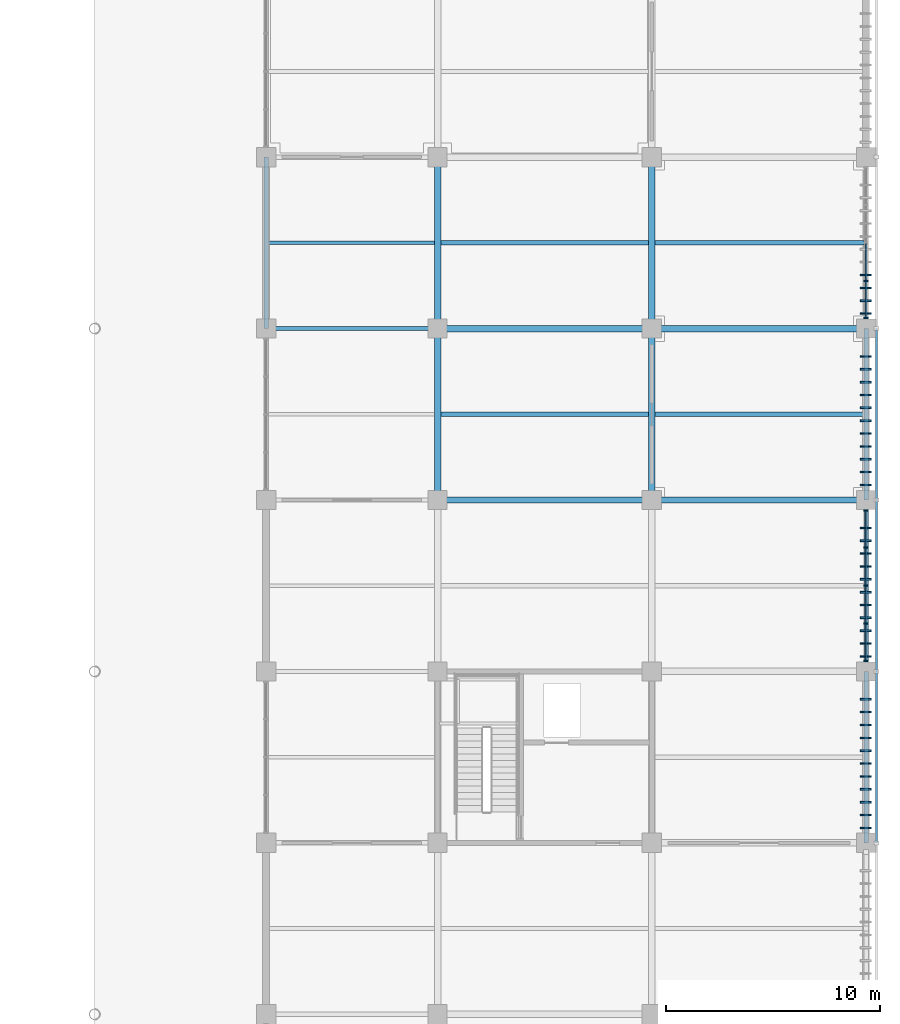
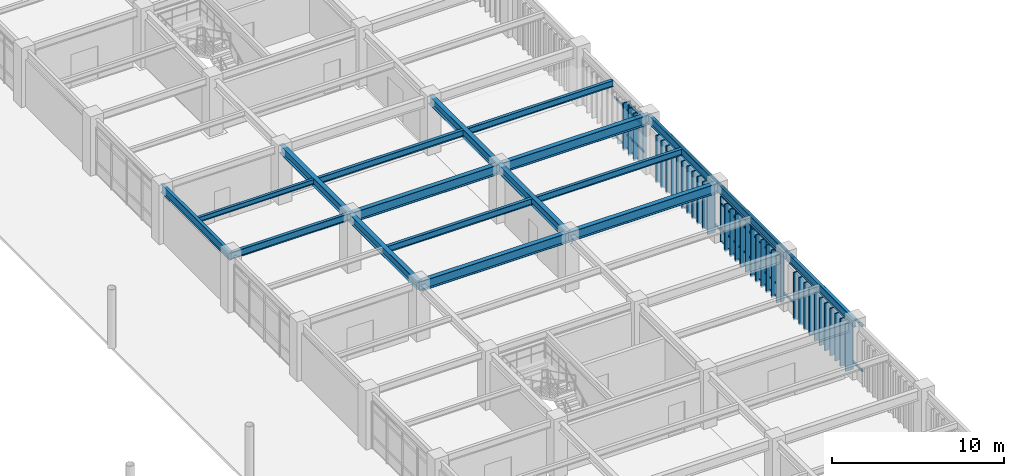
# One storey, part 46 of 118: 73 members, 18 beams, 2 elements without a shape of their own.
"""IFC4 building model written with IfcOpenShell, lengths in metres."""

from ifc_helpers import new_model, si_unit, direction, frame, origin, origin_2d, place, context, subcontext, project, spatial, rectangle, hollow_rectangle, i_section, extrude, material, layer, layer_set, material_profile, profile_set, type_object, element, aggregate, save


model = new_model("IFC4")

# Units and contexts
model_context = context("Model", 3, precision=1e-05, world=origin(), true_north=direction((0.0, 1.0)))
body_context = subcontext(model_context, "Body", "Model", "MODEL_VIEW")
ifc_project = project(units=[si_unit("LENGTHUNIT", "METRE"), si_unit("AREAUNIT", "SQUARE_METRE"), si_unit("VOLUMEUNIT", "CUBIC_METRE"), si_unit("PLANEANGLEUNIT", "RADIAN"), si_unit("MASSUNIT", "GRAM", prefix="KILO")], contexts=[model_context])

# Site, building, storey
site_placement = place(None, origin())
site = spatial("IfcSite", under=ifc_project, at=site_placement, CompositionType="ELEMENT")
building_placement = place(site_placement, origin())
building = spatial("IfcBuilding", under=site, at=building_placement, Name="Haebicheon Civic Stadium", CompositionType="ELEMENT")
storey_placement = place(building_placement, frame((0.0, 0.0, 14.39990234375)))
storey = spatial("IfcBuildingStorey", under=building, at=storey_placement, Name="L04", CompositionType="ELEMENT", Elevation=14.39990234375)

# Beams
ifc_material_1 = material(Name="Steel SM355 (S355)", Category="steel")
ifc_material_profile_1 = material_profile(ifc_material_1, i_section(OverallWidth=0.199951171875, OverallDepth=0.5, WebThickness=0.010009765625, FlangeThickness=0.01611328125, at=origin_2d()), Name="H-500x200x10x16")
ifc_profile_set_1 = profile_set([ifc_material_profile_1], Name="Steel SM355 (S355)")
beam_type_1 = type_object("IfcBeamType", Name="BM-ST-H500", PredefinedType="BEAM", material=ifc_profile_set_1)
beam_1_placement = place(storey_placement, frame((208.0, 88.0, 3.690185546875), z_axis=(1.0, 0.0, 0.0), x_axis=(0.0, 1.0, 0.0)))
element("IfcBeam", 1, at=beam_1_placement, inside=storey, type_object=beam_type_1, material=ifc_profile_set_1, Name="L04 beam M/27-28", PredefinedType="BEAM", context=body_context, shape_type="SweptSolid", body=[
    extrude(i_section(OverallWidth=0.199951171875, OverallDepth=0.5, WebThickness=0.010009765625, FlangeThickness=0.01611328125, at=origin_2d()), origin(), (0.0, 0.0, 1.0), 8.0),
])
ifc_material_2 = material(Name="Steel SM355 (S355)", Category="steel")
ifc_material_profile_2 = material_profile(ifc_material_2, i_section(OverallWidth=0.300048828125, OverallDepth=0.60009765625, WebThickness=0.011962890625, FlangeThickness=0.02001953125, at=origin_2d()), Name="H-600x300x12x20")
ifc_profile_set_2 = profile_set([ifc_material_profile_2], Name="Steel SM355 (S355)")
beam_type_2 = type_object("IfcBeamType", Name="BM-ST-H600A", PredefinedType="BEAM", material=ifc_profile_set_2)
for number, where, z_axis, x_axis, name in (
    (2, (216.0, 80.0, 3.64013671875), (0.0, 1.0, 0.0), (-1.0, 0.0, 0.0), "L04 girder 28/L-M"),
    (3, (216.0, 88.0, 3.64013671875), (0.0, 1.0, 0.0), (-1.0, 0.0, 0.0), "L04 girder 28/M-N"),
    (4, (226.0, 80.0, 3.64013671875), (0.0, 1.0, 0.0), (-1.0, 0.0, 0.0), "L04 girder 29/L-M"),
    (5, (226.0, 88.0, 3.64013671875), (0.0, 1.0, 0.0), (-1.0, 0.0, 0.0), "L04 girder 29/M-N"),
):
    element("IfcBeam", number, at=place(storey_placement, frame(where, z_axis=z_axis, x_axis=x_axis)), inside=storey, type_object=beam_type_2, material=ifc_profile_set_2, Name=name, PredefinedType="BEAM", context=body_context, shape_type="SweptSolid", body=[
        extrude(i_section(OverallWidth=0.300048828125, OverallDepth=0.60009765625, WebThickness=0.011962890625, FlangeThickness=0.02001953125, at=origin_2d()), origin(), (0.0, 0.0, 1.0), 8.0),
    ])
ifc_material_3 = material(Name="Steel SM490", Category="steel")
ifc_material_profile_3 = material_profile(ifc_material_3, i_section(OverallWidth=0.300048828125, OverallDepth=0.699951171875, WebThickness=0.012939453125, FlangeThickness=0.02392578125, at=origin_2d()), Name="H-700x300x13x24")
ifc_profile_set_3 = profile_set([ifc_material_profile_3], Name="Steel SM490")
beam_type_3 = type_object("IfcBeamType", Name="BM-ST-H700", PredefinedType="BEAM", material=ifc_profile_set_3)
for number, where, z_axis, x_axis, name in (
    (6, (216.0, 80.0, 3.590087890625), (1.0, 0.0, 0.0), (0.0, 1.0, 0.0), "L04 beam L/28-29"),
    (7, (216.0, 88.0, 3.590087890625), (1.0, 0.0, 0.0), (0.0, 1.0, 0.0), "L04 beam M/28-29"),
    (8, (226.0, 80.0, 3.590087890625), (1.0, 0.0, 0.0), (0.0, 1.0, 0.0), "L04 beam L/29-30"),
    (9, (226.0, 88.0, 3.590087890625), (1.0, 0.0, 0.0), (0.0, 1.0, 0.0), "L04 beam M/29-30"),
):
    element("IfcBeam", number, at=place(storey_placement, frame(where, z_axis=z_axis, x_axis=x_axis)), inside=storey, type_object=beam_type_3, material=ifc_profile_set_3, Name=name, PredefinedType="BEAM", context=body_context, shape_type="SweptSolid", body=[
        extrude(i_section(OverallWidth=0.300048828125, OverallDepth=0.699951171875, WebThickness=0.012939453125, FlangeThickness=0.02392578125, at=origin_2d()), origin(), (0.0, 0.0, 1.0), 10.0),
    ])

# Curtain wall, members
ifc_material_4 = material(Name="Anodised aluminium and laminated glass", Category="aluminium")
ifc_layer = layer(ifc_material_4, 0.179931640625, Name="Anodised aluminium and laminated glass")
ifc_layer_set = layer_set([ifc_layer], Name="Anodised aluminium and laminated glass")
curtain_wall_type = type_object("IfcCurtainWallType", Name="CW-7100x3230", PredefinedType="NOTDEFINED", material=ifc_layer_set)
curtain_wall_1_placement = place(storey_placement, origin())
curtain_wall_1 = element("IfcCurtainWall", 10, at=curtain_wall_1_placement, inside=storey, type_object=curtain_wall_type, material=ifc_layer_set, Name="L04 unitised curtain wall 178", PredefinedType="NOTDEFINED")
ifc_material_5 = material(Name="Anodised aluminium 6063-T6", Category="aluminium")
ifc_material_profile_4 = material_profile(ifc_material_5, rectangle(XDim=0.070068359375, YDim=0.199951171875, at=origin_2d()), Name="ALU-MULL-70x200")
ifc_profile_set_4 = profile_set([ifc_material_profile_4], Name="Anodised aluminium 6063-T6")
member_type_1 = type_object("IfcMemberType", Name="CWM-200x70", PredefinedType="MULLION", material=ifc_profile_set_4)
member_1_placement = place(storey_placement, frame((236.0, 72.485107421875, 0.0), z_axis=(0.0, 0.0, 1.0), x_axis=(0.0, 1.0, 0.0)))
member_1 = element("IfcMember", 11, at=member_1_placement, type_object=member_type_1, material=ifc_profile_set_4, Name="CW-L04-178 vertical mullion 1", PredefinedType="MULLION", context=body_context, shape_type="SweptSolid", body=[
    extrude(rectangle(XDim=0.070068359375, YDim=0.199951171875, at=origin_2d()), origin(), (0.0, 0.0, 1.0), 3.22998046875),
])
member_2_placement = place(storey_placement, frame((236.0, 74.22509765625, 0.0), z_axis=(0.0, 0.0, 1.0), x_axis=(0.0, 1.0, 0.0)))
member_2 = element("IfcMember", 12, at=member_2_placement, type_object=member_type_1, material=ifc_profile_set_4, Name="CW-L04-178 vertical mullion 2", PredefinedType="MULLION", context=body_context, shape_type="SweptSolid", body=[
    extrude(rectangle(XDim=0.070068359375, YDim=0.199951171875, at=origin_2d()), origin(), (0.0, 0.0, 1.0), 3.22998046875),
])
member_3_placement = place(storey_placement, frame((236.0, 76.0, 0.0), z_axis=(0.0, 0.0, 1.0), x_axis=(0.0, 1.0, 0.0)))
member_3 = element("IfcMember", 13, at=member_3_placement, type_object=member_type_1, material=ifc_profile_set_4, Name="CW-L04-178 vertical mullion 3", PredefinedType="MULLION", context=body_context, shape_type="SweptSolid", body=[
    extrude(rectangle(XDim=0.070068359375, YDim=0.199951171875, at=origin_2d()), origin(), (0.0, 0.0, 1.0), 3.22998046875),
])
member_4_placement = place(storey_placement, frame((236.0, 77.77490234375, 0.0), z_axis=(0.0, 0.0, 1.0), x_axis=(0.0, 1.0, 0.0)))
member_4 = element("IfcMember", 14, at=member_4_placement, type_object=member_type_1, material=ifc_profile_set_4, Name="CW-L04-178 vertical mullion 4", PredefinedType="MULLION", context=body_context, shape_type="SweptSolid", body=[
    extrude(rectangle(XDim=0.070068359375, YDim=0.199951171875, at=origin_2d()), origin(), (0.0, 0.0, 1.0), 3.22998046875),
])
member_5_placement = place(storey_placement, frame((236.0, 79.514892578125, 0.0), z_axis=(0.0, 0.0, 1.0), x_axis=(0.0, 1.0, 0.0)))
member_5 = element("IfcMember", 15, at=member_5_placement, type_object=member_type_1, material=ifc_profile_set_4, Name="CW-L04-178 vertical mullion 5", PredefinedType="MULLION", context=body_context, shape_type="SweptSolid", body=[
    extrude(rectangle(XDim=0.070068359375, YDim=0.199951171875, at=origin_2d()), origin(), (0.0, 0.0, 1.0), 3.22998046875),
])

curtain_wall_2_placement = place(storey_placement, origin())
curtain_wall_2 = element("IfcCurtainWall", 16, at=curtain_wall_2_placement, inside=storey, type_object=curtain_wall_type, material=ifc_layer_set, Name="L04 unitised curtain wall 179", PredefinedType="NOTDEFINED")
member_6_placement = place(storey_placement, frame((236.0, 88.485107421875, 0.0), z_axis=(0.0, 0.0, 1.0), x_axis=(0.0, 1.0, 0.0)))
member_6 = element("IfcMember", 17, at=member_6_placement, type_object=member_type_1, material=ifc_profile_set_4, Name="CW-L04-179 vertical mullion 1", PredefinedType="MULLION", context=body_context, shape_type="SweptSolid", body=[
    extrude(rectangle(XDim=0.070068359375, YDim=0.199951171875, at=origin_2d()), origin(), (0.0, 0.0, 1.0), 3.22998046875),
])
member_7_placement = place(storey_placement, frame((236.0, 90.22509765625, 0.0), z_axis=(0.0, 0.0, 1.0), x_axis=(0.0, 1.0, 0.0)))
member_7 = element("IfcMember", 18, at=member_7_placement, type_object=member_type_1, material=ifc_profile_set_4, Name="CW-L04-179 vertical mullion 2", PredefinedType="MULLION", context=body_context, shape_type="SweptSolid", body=[
    extrude(rectangle(XDim=0.070068359375, YDim=0.199951171875, at=origin_2d()), origin(), (0.0, 0.0, 1.0), 3.22998046875),
])

# Member
ifc_material_6 = material(Name="Anodised aluminium 6063-T6", Category="aluminium")
ifc_material_profile_5 = material_profile(ifc_material_6, rectangle(XDim=0.070068359375, YDim=0.14990234375, at=origin_2d()), Name="ALU-TRAN-70x150")
ifc_profile_set_5 = profile_set([ifc_material_profile_5], Name="Anodised aluminium 6063-T6")
member_type_2 = type_object("IfcMemberType", Name="CWT-150x70", PredefinedType="NOTDEFINED", material=ifc_profile_set_5)
member_8_placement = place(storey_placement, frame((236.0, 72.52001953125, 0.0), z_axis=(0.0, 1.0, 0.0), x_axis=(-1.0, 0.0, 0.0)))
member_8 = element("IfcMember", 19, at=member_8_placement, type_object=member_type_2, material=ifc_profile_set_5, Name="CW-L04-178 horizontal transom 1.1", ObjectType="TRANSOM", PredefinedType="USERDEFINED", context=body_context, shape_type="SweptSolid", body=[
    extrude(rectangle(XDim=0.070068359375, YDim=0.14990234375, at=origin_2d()), origin(), (0.0, 0.0, 1.0), 1.669921875),
])

member_9_placement = place(storey_placement, frame((236.0, 72.52001953125, 0.900146484375), z_axis=(0.0, 1.0, 0.0), x_axis=(-1.0, 0.0, 0.0)))
member_9 = element("IfcMember", 20, at=member_9_placement, type_object=member_type_2, material=ifc_profile_set_5, Name="CW-L04-178 horizontal transom 1.2", ObjectType="TRANSOM", PredefinedType="USERDEFINED", context=body_context, shape_type="SweptSolid", body=[
    extrude(rectangle(XDim=0.070068359375, YDim=0.14990234375, at=origin_2d()), origin(), (0.0, 0.0, 1.0), 1.669921875),
])

member_10_placement = place(storey_placement, frame((236.0, 72.52001953125, 2.68017578125), z_axis=(0.0, 1.0, 0.0), x_axis=(-1.0, 0.0, 0.0)))
member_10 = element("IfcMember", 21, at=member_10_placement, type_object=member_type_2, material=ifc_profile_set_5, Name="CW-L04-178 horizontal transom 1.3", ObjectType="TRANSOM", PredefinedType="USERDEFINED", context=body_context, shape_type="SweptSolid", body=[
    extrude(rectangle(XDim=0.070068359375, YDim=0.14990234375, at=origin_2d()), origin(), (0.0, 0.0, 1.0), 1.669921875),
])

member_11_placement = place(storey_placement, frame((236.0, 72.52001953125, 3.22998046875), z_axis=(0.0, 1.0, 0.0), x_axis=(-1.0, 0.0, 0.0)))
member_11 = element("IfcMember", 22, at=member_11_placement, type_object=member_type_2, material=ifc_profile_set_5, Name="CW-L04-178 horizontal transom 1.4", ObjectType="TRANSOM", PredefinedType="USERDEFINED", context=body_context, shape_type="SweptSolid", body=[
    extrude(rectangle(XDim=0.070068359375, YDim=0.14990234375, at=origin_2d()), origin(), (0.0, 0.0, 1.0), 1.669921875),
])

member_12_placement = place(storey_placement, frame((236.0, 74.260009765625, 0.0), z_axis=(0.0, 1.0, 0.0), x_axis=(-1.0, 0.0, 0.0)))
member_12 = element("IfcMember", 23, at=member_12_placement, type_object=member_type_2, material=ifc_profile_set_5, Name="CW-L04-178 horizontal transom 2.1", ObjectType="TRANSOM", PredefinedType="USERDEFINED", context=body_context, shape_type="SweptSolid", body=[
    extrude(rectangle(XDim=0.070068359375, YDim=0.14990234375, at=origin_2d()), origin(), (0.0, 0.0, 1.0), 1.705078125),
])

member_13_placement = place(storey_placement, frame((236.0, 74.260009765625, 0.900146484375), z_axis=(0.0, 1.0, 0.0), x_axis=(-1.0, 0.0, 0.0)))
member_13 = element("IfcMember", 24, at=member_13_placement, type_object=member_type_2, material=ifc_profile_set_5, Name="CW-L04-178 horizontal transom 2.2", ObjectType="TRANSOM", PredefinedType="USERDEFINED", context=body_context, shape_type="SweptSolid", body=[
    extrude(rectangle(XDim=0.070068359375, YDim=0.14990234375, at=origin_2d()), origin(), (0.0, 0.0, 1.0), 1.705078125),
])

member_14_placement = place(storey_placement, frame((236.0, 74.260009765625, 2.68017578125), z_axis=(0.0, 1.0, 0.0), x_axis=(-1.0, 0.0, 0.0)))
member_14 = element("IfcMember", 25, at=member_14_placement, type_object=member_type_2, material=ifc_profile_set_5, Name="CW-L04-178 horizontal transom 2.3", ObjectType="TRANSOM", PredefinedType="USERDEFINED", context=body_context, shape_type="SweptSolid", body=[
    extrude(rectangle(XDim=0.070068359375, YDim=0.14990234375, at=origin_2d()), origin(), (0.0, 0.0, 1.0), 1.705078125),
])

member_15_placement = place(storey_placement, frame((236.0, 74.260009765625, 3.22998046875), z_axis=(0.0, 1.0, 0.0), x_axis=(-1.0, 0.0, 0.0)))
member_15 = element("IfcMember", 26, at=member_15_placement, type_object=member_type_2, material=ifc_profile_set_5, Name="CW-L04-178 horizontal transom 2.4", ObjectType="TRANSOM", PredefinedType="USERDEFINED", context=body_context, shape_type="SweptSolid", body=[
    extrude(rectangle(XDim=0.070068359375, YDim=0.14990234375, at=origin_2d()), origin(), (0.0, 0.0, 1.0), 1.705078125),
])

member_16_placement = place(storey_placement, frame((236.0, 76.034912109375, 0.0), z_axis=(0.0, 1.0, 0.0), x_axis=(-1.0, 0.0, 0.0)))
member_16 = element("IfcMember", 27, at=member_16_placement, type_object=member_type_2, material=ifc_profile_set_5, Name="CW-L04-178 horizontal transom 3.1", ObjectType="TRANSOM", PredefinedType="USERDEFINED", context=body_context, shape_type="SweptSolid", body=[
    extrude(rectangle(XDim=0.070068359375, YDim=0.14990234375, at=origin_2d()), origin(), (0.0, 0.0, 1.0), 1.705078125),
])

member_17_placement = place(storey_placement, frame((236.0, 76.034912109375, 0.900146484375), z_axis=(0.0, 1.0, 0.0), x_axis=(-1.0, 0.0, 0.0)))
member_17 = element("IfcMember", 28, at=member_17_placement, type_object=member_type_2, material=ifc_profile_set_5, Name="CW-L04-178 horizontal transom 3.2", ObjectType="TRANSOM", PredefinedType="USERDEFINED", context=body_context, shape_type="SweptSolid", body=[
    extrude(rectangle(XDim=0.070068359375, YDim=0.14990234375, at=origin_2d()), origin(), (0.0, 0.0, 1.0), 1.705078125),
])

member_18_placement = place(storey_placement, frame((236.0, 76.034912109375, 2.68017578125), z_axis=(0.0, 1.0, 0.0), x_axis=(-1.0, 0.0, 0.0)))
member_18 = element("IfcMember", 29, at=member_18_placement, type_object=member_type_2, material=ifc_profile_set_5, Name="CW-L04-178 horizontal transom 3.3", ObjectType="TRANSOM", PredefinedType="USERDEFINED", context=body_context, shape_type="SweptSolid", body=[
    extrude(rectangle(XDim=0.070068359375, YDim=0.14990234375, at=origin_2d()), origin(), (0.0, 0.0, 1.0), 1.705078125),
])

member_19_placement = place(storey_placement, frame((236.0, 76.034912109375, 3.22998046875), z_axis=(0.0, 1.0, 0.0), x_axis=(-1.0, 0.0, 0.0)))
member_19 = element("IfcMember", 30, at=member_19_placement, type_object=member_type_2, material=ifc_profile_set_5, Name="CW-L04-178 horizontal transom 3.4", ObjectType="TRANSOM", PredefinedType="USERDEFINED", context=body_context, shape_type="SweptSolid", body=[
    extrude(rectangle(XDim=0.070068359375, YDim=0.14990234375, at=origin_2d()), origin(), (0.0, 0.0, 1.0), 1.705078125),
])

member_20_placement = place(storey_placement, frame((236.0, 77.81005859375, 0.0), z_axis=(0.0, 1.0, 0.0), x_axis=(-1.0, 0.0, 0.0)))
member_20 = element("IfcMember", 31, at=member_20_placement, type_object=member_type_2, material=ifc_profile_set_5, Name="CW-L04-178 horizontal transom 4.1", ObjectType="TRANSOM", PredefinedType="USERDEFINED", context=body_context, shape_type="SweptSolid", body=[
    extrude(rectangle(XDim=0.070068359375, YDim=0.14990234375, at=origin_2d()), origin(), (0.0, 0.0, 1.0), 1.669921875),
])

member_21_placement = place(storey_placement, frame((236.0, 77.81005859375, 0.900146484375), z_axis=(0.0, 1.0, 0.0), x_axis=(-1.0, 0.0, 0.0)))
member_21 = element("IfcMember", 32, at=member_21_placement, type_object=member_type_2, material=ifc_profile_set_5, Name="CW-L04-178 horizontal transom 4.2", ObjectType="TRANSOM", PredefinedType="USERDEFINED", context=body_context, shape_type="SweptSolid", body=[
    extrude(rectangle(XDim=0.070068359375, YDim=0.14990234375, at=origin_2d()), origin(), (0.0, 0.0, 1.0), 1.669921875),
])

member_22_placement = place(storey_placement, frame((236.0, 77.81005859375, 2.68017578125), z_axis=(0.0, 1.0, 0.0), x_axis=(-1.0, 0.0, 0.0)))
member_22 = element("IfcMember", 33, at=member_22_placement, type_object=member_type_2, material=ifc_profile_set_5, Name="CW-L04-178 horizontal transom 4.3", ObjectType="TRANSOM", PredefinedType="USERDEFINED", context=body_context, shape_type="SweptSolid", body=[
    extrude(rectangle(XDim=0.070068359375, YDim=0.14990234375, at=origin_2d()), origin(), (0.0, 0.0, 1.0), 1.669921875),
])

member_23_placement = place(storey_placement, frame((236.0, 77.81005859375, 3.22998046875), z_axis=(0.0, 1.0, 0.0), x_axis=(-1.0, 0.0, 0.0)))
member_23 = element("IfcMember", 34, at=member_23_placement, type_object=member_type_2, material=ifc_profile_set_5, Name="CW-L04-178 horizontal transom 4.4", ObjectType="TRANSOM", PredefinedType="USERDEFINED", context=body_context, shape_type="SweptSolid", body=[
    extrude(rectangle(XDim=0.070068359375, YDim=0.14990234375, at=origin_2d()), origin(), (0.0, 0.0, 1.0), 1.669921875),
])

aggregate(curtain_wall_1, [member_1, member_2, member_3, member_4, member_5, member_8, member_9, member_10, member_11, member_12, member_13, member_14, member_15, member_16, member_17, member_18, member_19, member_20, member_21, member_22, member_23])

member_24_placement = place(storey_placement, frame((236.0, 88.52001953125, 0.0), z_axis=(0.0, 1.0, 0.0), x_axis=(-1.0, 0.0, 0.0)))
member_24 = element("IfcMember", 35, at=member_24_placement, type_object=member_type_2, material=ifc_profile_set_5, Name="CW-L04-179 horizontal transom 1.1", ObjectType="TRANSOM", PredefinedType="USERDEFINED", context=body_context, shape_type="SweptSolid", body=[
    extrude(rectangle(XDim=0.070068359375, YDim=0.14990234375, at=origin_2d()), origin(), (0.0, 0.0, 1.0), 1.669921875),
])

member_25_placement = place(storey_placement, frame((236.0, 88.52001953125, 0.900146484375), z_axis=(0.0, 1.0, 0.0), x_axis=(-1.0, 0.0, 0.0)))
member_25 = element("IfcMember", 36, at=member_25_placement, type_object=member_type_2, material=ifc_profile_set_5, Name="CW-L04-179 horizontal transom 1.2", ObjectType="TRANSOM", PredefinedType="USERDEFINED", context=body_context, shape_type="SweptSolid", body=[
    extrude(rectangle(XDim=0.070068359375, YDim=0.14990234375, at=origin_2d()), origin(), (0.0, 0.0, 1.0), 1.669921875),
])

member_26_placement = place(storey_placement, frame((236.0, 88.52001953125, 2.68017578125), z_axis=(0.0, 1.0, 0.0), x_axis=(-1.0, 0.0, 0.0)))
member_26 = element("IfcMember", 37, at=member_26_placement, type_object=member_type_2, material=ifc_profile_set_5, Name="CW-L04-179 horizontal transom 1.3", ObjectType="TRANSOM", PredefinedType="USERDEFINED", context=body_context, shape_type="SweptSolid", body=[
    extrude(rectangle(XDim=0.070068359375, YDim=0.14990234375, at=origin_2d()), origin(), (0.0, 0.0, 1.0), 1.669921875),
])

member_27_placement = place(storey_placement, frame((236.0, 88.52001953125, 3.22998046875), z_axis=(0.0, 1.0, 0.0), x_axis=(-1.0, 0.0, 0.0)))
member_27 = element("IfcMember", 38, at=member_27_placement, type_object=member_type_2, material=ifc_profile_set_5, Name="CW-L04-179 horizontal transom 1.4", ObjectType="TRANSOM", PredefinedType="USERDEFINED", context=body_context, shape_type="SweptSolid", body=[
    extrude(rectangle(XDim=0.070068359375, YDim=0.14990234375, at=origin_2d()), origin(), (0.0, 0.0, 1.0), 1.669921875),
])

member_28_placement = place(storey_placement, frame((236.0, 90.260009765625, 0.0), z_axis=(0.0, 1.0, 0.0), x_axis=(-1.0, 0.0, 0.0)))
member_28 = element("IfcMember", 39, at=member_28_placement, type_object=member_type_2, material=ifc_profile_set_5, Name="CW-L04-179 horizontal transom 2.1", ObjectType="TRANSOM", PredefinedType="USERDEFINED", context=body_context, shape_type="SweptSolid", body=[
    extrude(rectangle(XDim=0.070068359375, YDim=0.14990234375, at=origin_2d()), origin(), (0.0, 0.0, 1.0), 1.705078125),
])

member_29_placement = place(storey_placement, frame((236.0, 90.260009765625, 0.900146484375), z_axis=(0.0, 1.0, 0.0), x_axis=(-1.0, 0.0, 0.0)))
member_29 = element("IfcMember", 40, at=member_29_placement, type_object=member_type_2, material=ifc_profile_set_5, Name="CW-L04-179 horizontal transom 2.2", ObjectType="TRANSOM", PredefinedType="USERDEFINED", context=body_context, shape_type="SweptSolid", body=[
    extrude(rectangle(XDim=0.070068359375, YDim=0.14990234375, at=origin_2d()), origin(), (0.0, 0.0, 1.0), 1.705078125),
])

member_30_placement = place(storey_placement, frame((236.0, 90.260009765625, 2.68017578125), z_axis=(0.0, 1.0, 0.0), x_axis=(-1.0, 0.0, 0.0)))
member_30 = element("IfcMember", 41, at=member_30_placement, type_object=member_type_2, material=ifc_profile_set_5, Name="CW-L04-179 horizontal transom 2.3", ObjectType="TRANSOM", PredefinedType="USERDEFINED", context=body_context, shape_type="SweptSolid", body=[
    extrude(rectangle(XDim=0.070068359375, YDim=0.14990234375, at=origin_2d()), origin(), (0.0, 0.0, 1.0), 1.705078125),
])

aggregate(curtain_wall_2, [member_6, member_7, member_24, member_25, member_26, member_27, member_28, member_29, member_30])

# Beams
ifc_material_7 = material(Name="Steel SM355 (S355)", Category="steel")
ifc_material_profile_6 = material_profile(ifc_material_7, i_section(OverallWidth=0.175048828125, OverallDepth=0.35009765625, WebThickness=0.007080078125, FlangeThickness=0.010986328125, at=origin_2d()), Name="H-350x175x7x11")
ifc_profile_set_6 = profile_set([ifc_material_profile_6], Name="Steel SM355 (S355)")
beam_type_4 = type_object("IfcBeamType", Name="JST-ST-H350", PredefinedType="JOIST", material=ifc_profile_set_6)
beam_2_placement = place(storey_placement, frame((208.10009765625, 92.0, 3.76513671875), z_axis=(1.0, 0.0, 0.0), x_axis=(0.0, 1.0, 0.0)))
element("IfcBeam", 42, at=beam_2_placement, inside=storey, type_object=beam_type_4, material=ifc_profile_set_6, Name="L04 secondary joist 26-11", PredefinedType="JOIST", context=body_context, shape_type="SweptSolid", body=[
    extrude(i_section(OverallWidth=0.175048828125, OverallDepth=0.35009765625, WebThickness=0.007080078125, FlangeThickness=0.010986328125, at=origin_2d()), origin(), (0.0, 0.0, 1.0), 7.75),
])
ifc_material_8 = material(Name="Steel SM355 (S355)", Category="steel")
ifc_material_profile_7 = material_profile(ifc_material_8, i_section(OverallWidth=0.199951171875, OverallDepth=0.449951171875, WebThickness=0.009033203125, FlangeThickness=0.013916015625, at=origin_2d()), Name="H-450x200x9x14")
ifc_profile_set_7 = profile_set([ifc_material_profile_7], Name="Steel SM355 (S355)")
beam_type_5 = type_object("IfcBeamType", Name="JST-ST-H450", PredefinedType="JOIST", material=ifc_profile_set_7)
for number, where, z_axis, x_axis, name in (
    (43, (216.14990234375, 84.0, 3.715087890625), (1.0, 0.0, 0.0), (0.0, 1.0, 0.0), "L04 secondary joist 27-10"),
    (44, (216.14990234375, 92.0, 3.715087890625), (1.0, 0.0, 0.0), (0.0, 1.0, 0.0), "L04 secondary joist 27-11"),
):
    element("IfcBeam", number, at=place(storey_placement, frame(where, z_axis=z_axis, x_axis=x_axis)), inside=storey, type_object=beam_type_5, material=ifc_profile_set_7, Name=name, PredefinedType="JOIST", context=body_context, shape_type="SweptSolid", body=[
        extrude(i_section(OverallWidth=0.199951171875, OverallDepth=0.449951171875, WebThickness=0.009033203125, FlangeThickness=0.013916015625, at=origin_2d()), origin(), (0.0, 0.0, 1.0), 9.7001953125),
    ])
for number, where, z_axis, x_axis, name in (
    (45, (226.14990234375, 84.0, 3.715087890625), (1.0, 0.0, 0.0), (0.0, 1.0, 0.0), "L04 secondary joist 28-10"),
    (46, (226.14990234375, 92.0, 3.715087890625), (1.0, 0.0, 0.0), (0.0, 1.0, 0.0), "L04 secondary joist 28-11"),
):
    element("IfcBeam", number, at=place(storey_placement, frame(where, z_axis=z_axis, x_axis=x_axis)), inside=storey, type_object=beam_type_5, material=ifc_profile_set_7, Name=name, PredefinedType="JOIST", context=body_context, shape_type="SweptSolid", body=[
        extrude(i_section(OverallWidth=0.199951171875, OverallDepth=0.449951171875, WebThickness=0.009033203125, FlangeThickness=0.013916015625, at=origin_2d()), origin(), (0.0, 0.0, 1.0), 9.75),
    ])

# Members
ifc_material_9 = material(Name="Acetylated timber GL28h", Category="wood")
ifc_material_profile_8 = material_profile(ifc_material_9, rectangle(XDim=0.080078125, YDim=0.52001953125, at=origin_2d()), Name="TMB-LOUV-80x520")
ifc_profile_set_8 = profile_set([ifc_material_profile_8], Name="Acetylated timber GL28h")
member_type_3 = type_object("IfcMemberType", Name="LVR-TIM-520x80", PredefinedType="PLATE", material=ifc_profile_set_8)
for number, where, z_axis, x_axis, name in (
    (47, (235.97998046875, 64.699951171875, -0.119873046875), (0.0, 0.0, 1.0), (0.0, 1.0, 0.0), "SCR-COMM L04 acetylated timber storm louvre fin 3.1"),
    (48, (235.97998046875, 65.300048828125, -0.119873046875), (0.0, 0.0, 1.0), (0.0, 1.0, 0.0), "SCR-COMM L04 acetylated timber storm louvre fin 3.2"),
    (49, (235.97998046875, 65.89990234375, -0.119873046875), (0.0, 0.0, 1.0), (0.0, 1.0, 0.0), "SCR-COMM L04 acetylated timber storm louvre fin 3.3"),
    (50, (235.97998046875, 66.5, -0.119873046875), (0.0, 0.0, 1.0), (0.0, 1.0, 0.0), "SCR-COMM L04 acetylated timber storm louvre fin 3.4"),
    (51, (235.97998046875, 67.10009765625, -0.119873046875), (0.0, 0.0, 1.0), (0.0, 1.0, 0.0), "SCR-COMM L04 acetylated timber storm louvre fin 3.5"),
    (52, (235.97998046875, 67.699951171875, -0.119873046875), (0.0, 0.0, 1.0), (0.0, 1.0, 0.0), "SCR-COMM L04 acetylated timber storm louvre fin 3.6"),
    (53, (235.97998046875, 68.300048828125, -0.119873046875), (0.0, 0.0, 1.0), (0.0, 1.0, 0.0), "SCR-COMM L04 acetylated timber storm louvre fin 3.7"),
    (54, (235.97998046875, 68.89990234375, -0.119873046875), (0.0, 0.0, 1.0), (0.0, 1.0, 0.0), "SCR-COMM L04 acetylated timber storm louvre fin 3.8"),
    (55, (235.97998046875, 69.5, -0.119873046875), (0.0, 0.0, 1.0), (0.0, 1.0, 0.0), "SCR-COMM L04 acetylated timber storm louvre fin 3.9"),
    (56, (235.97998046875, 70.10009765625, -0.119873046875), (0.0, 0.0, 1.0), (0.0, 1.0, 0.0), "SCR-COMM L04 acetylated timber storm louvre fin 3.10"),
    (57, (235.97998046875, 70.699951171875, -0.119873046875), (0.0, 0.0, 1.0), (0.0, 1.0, 0.0), "SCR-COMM L04 acetylated timber storm louvre fin 3.11"),
    (58, (235.97998046875, 72.699951171875, -0.119873046875), (0.0, 0.0, 1.0), (0.0, 1.0, 0.0), "SCR-COMM L04 acetylated timber storm louvre fin 4.1"),
    (59, (235.97998046875, 73.300048828125, -0.119873046875), (0.0, 0.0, 1.0), (0.0, 1.0, 0.0), "SCR-COMM L04 acetylated timber storm louvre fin 4.2"),
    (60, (235.97998046875, 73.89990234375, -0.119873046875), (0.0, 0.0, 1.0), (0.0, 1.0, 0.0), "SCR-COMM L04 acetylated timber storm louvre fin 4.3"),
    (61, (235.97998046875, 74.5, -0.119873046875), (0.0, 0.0, 1.0), (0.0, 1.0, 0.0), "SCR-COMM L04 acetylated timber storm louvre fin 4.4"),
    (62, (235.97998046875, 75.10009765625, -0.119873046875), (0.0, 0.0, 1.0), (0.0, 1.0, 0.0), "SCR-COMM L04 acetylated timber storm louvre fin 4.5"),
    (63, (235.97998046875, 75.699951171875, -0.119873046875), (0.0, 0.0, 1.0), (0.0, 1.0, 0.0), "SCR-COMM L04 acetylated timber storm louvre fin 4.6"),
    (64, (235.97998046875, 76.300048828125, -0.119873046875), (0.0, 0.0, 1.0), (0.0, 1.0, 0.0), "SCR-COMM L04 acetylated timber storm louvre fin 4.7"),
    (65, (235.97998046875, 76.89990234375, -0.119873046875), (0.0, 0.0, 1.0), (0.0, 1.0, 0.0), "SCR-COMM L04 acetylated timber storm louvre fin 4.8"),
    (66, (235.97998046875, 77.5, -0.119873046875), (0.0, 0.0, 1.0), (0.0, 1.0, 0.0), "SCR-COMM L04 acetylated timber storm louvre fin 4.9"),
    (67, (235.97998046875, 78.10009765625, -0.119873046875), (0.0, 0.0, 1.0), (0.0, 1.0, 0.0), "SCR-COMM L04 acetylated timber storm louvre fin 4.10"),
    (68, (235.97998046875, 78.699951171875, -0.119873046875), (0.0, 0.0, 1.0), (0.0, 1.0, 0.0), "SCR-COMM L04 acetylated timber storm louvre fin 4.11"),
    (69, (235.97998046875, 80.699951171875, -0.119873046875), (0.0, 0.0, 1.0), (0.0, 1.0, 0.0), "SCR-COMM L04 acetylated timber storm louvre fin 5.1"),
    (70, (235.97998046875, 81.300048828125, -0.119873046875), (0.0, 0.0, 1.0), (0.0, 1.0, 0.0), "SCR-COMM L04 acetylated timber storm louvre fin 5.2"),
    (71, (235.97998046875, 81.89990234375, -0.119873046875), (0.0, 0.0, 1.0), (0.0, 1.0, 0.0), "SCR-COMM L04 acetylated timber storm louvre fin 5.3"),
    (72, (235.97998046875, 82.5, -0.119873046875), (0.0, 0.0, 1.0), (0.0, 1.0, 0.0), "SCR-COMM L04 acetylated timber storm louvre fin 5.4"),
    (73, (235.97998046875, 83.10009765625, -0.119873046875), (0.0, 0.0, 1.0), (0.0, 1.0, 0.0), "SCR-COMM L04 acetylated timber storm louvre fin 5.5"),
    (74, (235.97998046875, 83.699951171875, -0.119873046875), (0.0, 0.0, 1.0), (0.0, 1.0, 0.0), "SCR-COMM L04 acetylated timber storm louvre fin 5.6"),
    (75, (235.97998046875, 84.300048828125, -0.119873046875), (0.0, 0.0, 1.0), (0.0, 1.0, 0.0), "SCR-COMM L04 acetylated timber storm louvre fin 5.7"),
    (76, (235.97998046875, 84.89990234375, -0.119873046875), (0.0, 0.0, 1.0), (0.0, 1.0, 0.0), "SCR-COMM L04 acetylated timber storm louvre fin 5.8"),
    (77, (235.97998046875, 85.5, -0.119873046875), (0.0, 0.0, 1.0), (0.0, 1.0, 0.0), "SCR-COMM L04 acetylated timber storm louvre fin 5.9"),
    (78, (235.97998046875, 86.10009765625, -0.119873046875), (0.0, 0.0, 1.0), (0.0, 1.0, 0.0), "SCR-COMM L04 acetylated timber storm louvre fin 5.10"),
    (79, (235.97998046875, 86.699951171875, -0.119873046875), (0.0, 0.0, 1.0), (0.0, 1.0, 0.0), "SCR-COMM L04 acetylated timber storm louvre fin 5.11"),
    (80, (235.97998046875, 88.699951171875, -0.119873046875), (0.0, 0.0, 1.0), (0.0, 1.0, 0.0), "SCR-COMM L04 acetylated timber storm louvre fin 6.1"),
    (81, (235.97998046875, 89.300048828125, -0.119873046875), (0.0, 0.0, 1.0), (0.0, 1.0, 0.0), "SCR-COMM L04 acetylated timber storm louvre fin 6.2"),
    (82, (235.97998046875, 89.89990234375, -0.119873046875), (0.0, 0.0, 1.0), (0.0, 1.0, 0.0), "SCR-COMM L04 acetylated timber storm louvre fin 6.3"),
    (83, (235.97998046875, 90.5, -0.119873046875), (0.0, 0.0, 1.0), (0.0, 1.0, 0.0), "SCR-COMM L04 acetylated timber storm louvre fin 6.4"),
):
    element("IfcMember", number, at=place(storey_placement, frame(where, z_axis=z_axis, x_axis=x_axis)), inside=storey, type_object=member_type_3, material=ifc_profile_set_8, Name=name, PredefinedType="PLATE", context=body_context, shape_type="SweptSolid", body=[
        extrude(rectangle(XDim=0.080078125, YDim=0.52001953125, at=origin_2d()), origin(), (0.0, 0.0, 1.0), 3.369873046875),
    ])

# Beams
ifc_material_10 = material(Name="Steel SM355 (S355)", Category="steel")
ifc_material_profile_9 = material_profile(ifc_material_10, i_section(OverallWidth=0.199951171875, OverallDepth=0.60009765625, WebThickness=0.010986328125, FlangeThickness=0.01708984375, at=origin_2d()), Name="H-600x200x11x17")
ifc_profile_set_9 = profile_set([ifc_material_profile_9], Name="Steel SM355 (S355)")
beam_type_6 = type_object("IfcBeamType", Name="SPD-ST-H600B", PredefinedType="SPANDREL", material=ifc_profile_set_9)
for number, where, z_axis, x_axis, name in (
    (84, (208.0, 88.0, 3.64013671875), (0.0, 1.0, 0.0), (-1.0, 0.0, 0.0), "L04 girder 27/M-N"),
    (85, (236.0, 64.0, 3.64013671875), (0.0, 1.0, 0.0), (-1.0, 0.0, 0.0), "L04 girder 30/J-K"),
    (86, (236.0, 72.0, 3.64013671875), (0.0, 1.0, 0.0), (-1.0, 0.0, 0.0), "L04 girder 30/K-L"),
    (87, (236.0, 80.0, 3.64013671875), (0.0, 1.0, 0.0), (-1.0, 0.0, 0.0), "L04 girder 30/L-M"),
):
    element("IfcBeam", number, at=place(storey_placement, frame(where, z_axis=z_axis, x_axis=x_axis)), inside=storey, type_object=beam_type_6, material=ifc_profile_set_9, Name=name, PredefinedType="SPANDREL", context=body_context, shape_type="SweptSolid", body=[
        extrude(i_section(OverallWidth=0.199951171875, OverallDepth=0.60009765625, WebThickness=0.010986328125, FlangeThickness=0.01708984375, at=origin_2d()), origin(), (0.0, 0.0, 1.0), 8.0),
    ])

# Members
ifc_material_11 = material(Name="Steel SM355 (S355)", Category="steel")
ifc_material_profile_10 = material_profile(ifc_material_11, hollow_rectangle(XDim=0.10009765625, YDim=0.14990234375, WallThickness=0.006103515625, at=origin_2d()), Name="RHS-150x100x6.0")
ifc_profile_set_10 = profile_set([ifc_material_profile_10], Name="Steel SM355 (S355)")
member_type_4 = type_object("IfcMemberType", Name="SUB-RHS150", PredefinedType="STRINGER", material=ifc_profile_set_10)
for number, where, z_axis, x_axis, name in (
    (88, (236.489990234375, 64.0, 0.06005859375), (0.0, 1.0, 0.0), (-1.0, 0.0, 0.0), "SCR-COMM L04 storm-louvre bottom carrier rail 3"),
    (89, (236.489990234375, 64.0, 3.25), (0.0, 1.0, 0.0), (-1.0, 0.0, 0.0), "SCR-COMM L04 storm-louvre top carrier rail 3"),
    (90, (236.489990234375, 72.0, 0.06005859375), (0.0, 1.0, 0.0), (-1.0, 0.0, 0.0), "SCR-COMM L04 storm-louvre bottom carrier rail 4"),
    (91, (236.489990234375, 72.0, 3.25), (0.0, 1.0, 0.0), (-1.0, 0.0, 0.0), "SCR-COMM L04 storm-louvre top carrier rail 4"),
    (92, (236.489990234375, 80.0, 0.06005859375), (0.0, 1.0, 0.0), (-1.0, 0.0, 0.0), "SCR-COMM L04 storm-louvre bottom carrier rail 5"),
    (93, (236.489990234375, 80.0, 3.25), (0.0, 1.0, 0.0), (-1.0, 0.0, 0.0), "SCR-COMM L04 storm-louvre top carrier rail 5"),
):
    element("IfcMember", number, at=place(storey_placement, frame(where, z_axis=z_axis, x_axis=x_axis)), inside=storey, type_object=member_type_4, material=ifc_profile_set_10, Name=name, PredefinedType="STRINGER", context=body_context, shape_type="SweptSolid", body=[
        extrude(hollow_rectangle(XDim=0.10009765625, YDim=0.14990234375, WallThickness=0.006103515625, at=origin_2d()), origin(), (0.0, 0.0, 1.0), 8.0),
    ])

save(model, "model.ifc")
